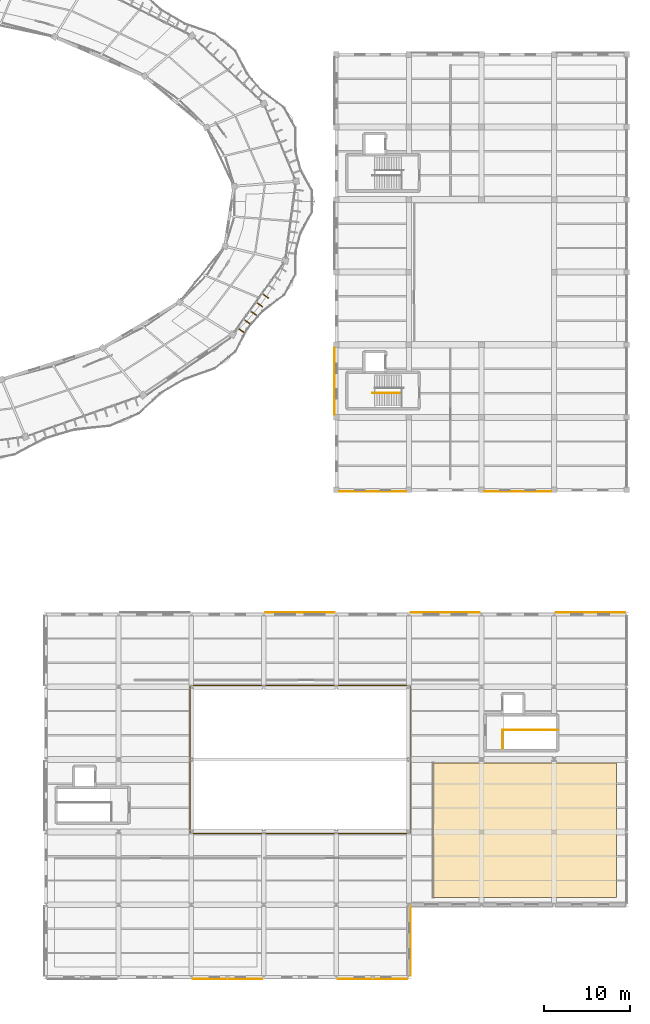
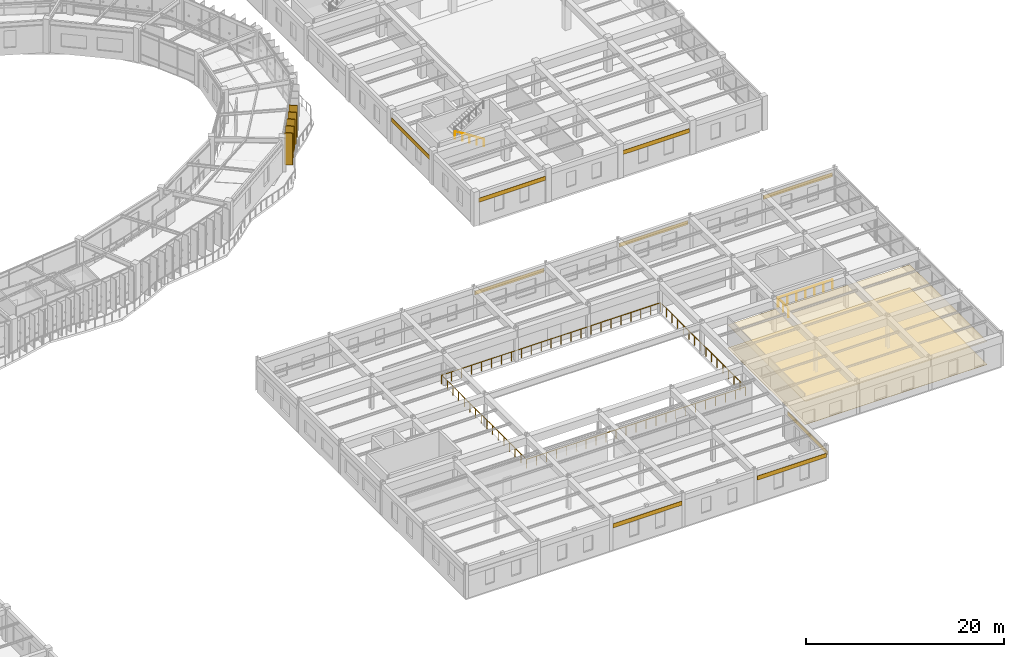
# One storey, part 136 of 138: 11 coverings, 5 shading devices, 4 railings.
"""IFC4 building model written with IfcOpenShell, lengths in metres."""

from ifc_helpers import new_model, si_unit, direction, frame, origin, origin_2d, place, context, subcontext, project, spatial, polyline, rectangle, circle, outline, extrude, material, layer, layer_set, type_object, element, save


model = new_model("IFC4")

# Units and contexts
model_context = context("Model", 3, precision=1e-05, world=origin(), true_north=direction((0.0, 1.0)))
body_context = subcontext(model_context, "Body", "Model", "MODEL_VIEW")
ifc_project = project(units=[si_unit("LENGTHUNIT", "METRE"), si_unit("AREAUNIT", "SQUARE_METRE"), si_unit("VOLUMEUNIT", "CUBIC_METRE"), si_unit("PLANEANGLEUNIT", "RADIAN"), si_unit("MASSUNIT", "GRAM", prefix="KILO"), si_unit("THERMODYNAMICTEMPERATUREUNIT", "KELVIN"), si_unit("POWERUNIT", "WATT")], contexts=[model_context])

# Site, building, storey
site_placement = place(None, origin())
site = spatial("IfcSite", under=ifc_project, at=site_placement, CompositionType="ELEMENT")
building_placement = place(site_placement, origin())
building = spatial("IfcBuilding", under=site, at=building_placement, Name="Darbajah Civic Hall", CompositionType="ELEMENT")
storey_placement = place(building_placement, frame((0.0, 0.0, 9.60009765625)))
storey = spatial("IfcBuildingStorey", under=building, at=storey_placement, Name="L02", CompositionType="ELEMENT", Elevation=9.60009765625)

# Railing
ifc_material_1 = material(Name="Brushed Bronze Stainless Steel", Category="steel")
railing_type_1 = type_object("IfcRailingType", Name="Brushed Bronze Handrail", PredefinedType="HANDRAIL", material=ifc_material_1)
railing_1_placement = place(storey_placement, frame((152.1201171875, 67.60009765625, 0.1748046875)))
element("IfcRailing", 1, at=railing_1_placement, inside=storey, type_object=railing_type_1, Name="ST09 L02 lower flight handrail", PredefinedType="HANDRAIL", context=body_context, shape_type="SweptSolid", body=[
    extrude(circle(Radius=0.02392578125, at=origin_2d()), frame((-0.023193359375, 0.0, 0.910400390625), z_axis=(-0.845944288966, 0.0, 0.533271281775), x_axis=(0.0, -1.0, 0.0)), (0.0, 0.0, 1.0), 3.91748046875),
    extrude(circle(Radius=0.02099609375, at=origin_2d()), origin(), (0.0, 0.0, 1.0), 0.867919921875),
    extrude(circle(Radius=0.02099609375, at=origin_2d()), frame((-0.840087890625, 0.0, 0.529541015625)), (0.0, 0.0, 1.0), 0.867919921875),
    extrude(circle(Radius=0.02099609375, at=origin_2d()), frame((-1.68017578125, 0.0, 1.05908203125)), (0.0, 0.0, 1.0), 0.867919921875),
    extrude(circle(Radius=0.02099609375, at=origin_2d()), frame((-2.52001953125, 0.0, 1.588623046875)), (0.0, 0.0, 1.0), 0.867919921875),
    extrude(circle(Radius=0.02099609375, at=origin_2d()), frame((-3.360107421875, 0.0, 2.1181640625)), (0.0, 0.0, 1.0), 0.867919921875),
])

# Covering
ifc_material_2 = material(Name="Honed Qatari Limestone Terrazzo", Category="masonry")
ifc_layer_1 = layer(ifc_material_2, 0.030029296875, Name="Honed Qatari Limestone Terrazzo")
ifc_layer_set_1 = layer_set([ifc_layer_1], Name="Honed Qatari Limestone Terrazzo")
covering_type_1 = type_object("IfcCoveringType", Name="Honed Qatari Limestone Terrazzo Flooring", PredefinedType="FLOORING", material=ifc_layer_set_1)
covering_1_placement = place(storey_placement, origin())
element("IfcCovering", 2, at=covering_1_placement, inside=storey, type_object=covering_type_1, Name="L02 stone terrazzo flooring L02-V3-03", PredefinedType="FLOORING", context=body_context, shape_type="SweptSolid", body=[
    extrude(outline(polyline([(155.800048828125, 9.199951171875), (177.0, 9.199951171875), (177.0, 24.800048828125), (155.800048828125, 24.800048828125), (155.800048828125, 9.199951171875)])), origin(), (0.0, 0.0, 1.0), 0.02978515625),
])

# Railings
ifc_material_3 = material(Name="Brushed Bronze and Laminated Safety Glass", Category="glass")
railing_type_2 = type_object("IfcRailingType", Name="Interior Guard Balustrade", PredefinedType="BALUSTRADE", material=ifc_material_3)
railing_2_placement = place(storey_placement, frame((163.830078125, 26.449951171875, 0.0)))
element("IfcRailing", 3, at=railing_2_placement, inside=storey, type_object=railing_type_2, Name="ST07 L02 stair-well edge guard", PredefinedType="BALUSTRADE", context=body_context, shape_type="SweptSolid", body=[
    extrude(circle(Radius=0.02392578125, at=origin_2d()), frame((0.0, 0.02734375, 1.09619140625), z_axis=(0.0, 1.0, 0.0), x_axis=(-1.0, 0.0, 0.0)), (0.0, 0.0, 1.0), 2.095458984375),
    extrude(circle(Radius=0.02099609375, at=origin_2d()), origin(), (0.0, 0.0, 1.0), 1.068115234375),
    extrude(circle(Radius=0.02099609375, at=origin_2d()), frame((0.0, 1.0751953125, 0.0)), (0.0, 0.0, 1.0), 1.068115234375),
    extrude(circle(Radius=0.02099609375, at=origin_2d()), frame((0.0, 2.150146484375, 0.0)), (0.0, 0.0, 1.0), 1.068115234375),
])
railing_3_placement = place(storey_placement, frame((163.8798828125, 28.60009765625, 0.0)))
element("IfcRailing", 4, at=railing_3_placement, inside=storey, type_object=railing_type_2, Name="ST07 L02 top landing guard", PredefinedType="BALUSTRADE", context=body_context, shape_type="SweptSolid", body=[
    extrude(circle(Radius=0.02392578125, at=origin_2d()), frame((0.02734375, 0.0, 1.09619140625), z_axis=(1.0, 0.0, 0.0), x_axis=(0.0, 1.0, 0.0)), (0.0, 0.0, 1.0), 6.265380859375),
    extrude(circle(Radius=0.02099609375, at=origin_2d()), origin(), (0.0, 0.0, 1.0), 1.068115234375),
    extrude(circle(Radius=0.02099609375, at=origin_2d()), frame((1.05322265625, 0.0, 0.0)), (0.0, 0.0, 1.0), 1.068115234375),
    extrude(circle(Radius=0.02099609375, at=origin_2d()), frame((2.106689453125, 0.0, 0.0)), (0.0, 0.0, 1.0), 1.068115234375),
    extrude(circle(Radius=0.02099609375, at=origin_2d()), frame((3.16015625, 0.0, 0.0)), (0.0, 0.0, 1.0), 1.068115234375),
    extrude(circle(Radius=0.02099609375, at=origin_2d()), frame((4.21337890625, 0.0, 0.0)), (0.0, 0.0, 1.0), 1.068115234375),
    extrude(circle(Radius=0.02099609375, at=origin_2d()), frame((5.2666015625, 0.0, 0.0)), (0.0, 0.0, 1.0), 1.068115234375),
    extrude(circle(Radius=0.02099609375, at=origin_2d()), frame((6.320068359375, 0.0, 0.0)), (0.0, 0.0, 1.0), 1.068115234375),
])
railing_4_placement = place(storey_placement, frame((127.64990234375, 16.64990234375, 0.0)))
element("IfcRailing", 5, at=railing_4_placement, inside=storey, type_object=railing_type_2, Name="L02 Public Hall atrium balustrade", PredefinedType="BALUSTRADE", context=body_context, shape_type="SweptSolid", body=[
    extrude(circle(Radius=0.02392578125, at=origin_2d()), frame((0.02734375, 0.0, 1.09619140625), z_axis=(1.0, 0.0, 0.0), x_axis=(0.0, 1.0, 0.0)), (0.0, 0.0, 1.0), 25.4453125),
    extrude(circle(Radius=0.02392578125, at=origin_2d()), frame((25.5, 0.02734375, 1.09619140625), z_axis=(0.0, 1.0, 0.0), x_axis=(-1.0, 0.0, 0.0)), (0.0, 0.0, 1.0), 17.04541015625),
    extrude(circle(Radius=0.02392578125, at=origin_2d()), frame((25.47265625, 17.10009765625, 1.09619140625), z_axis=(-1.0, 0.0, 0.0), x_axis=(0.0, -1.0, 0.0)), (0.0, 0.0, 1.0), 25.4453125),
    extrude(circle(Radius=0.02392578125, at=origin_2d()), frame((0.0, 17.07275390625, 1.09619140625), z_axis=(0.0, -1.0, 0.0), x_axis=(1.0, 0.0, 0.0)), (0.0, 0.0, 1.0), 17.04541015625),
    extrude(circle(Radius=0.02099609375, at=origin_2d()), origin(), (0.0, 0.0, 1.0), 1.068115234375),
    extrude(circle(Radius=0.02099609375, at=origin_2d()), frame((1.1591796875, 0.0, 0.0)), (0.0, 0.0, 1.0), 1.068115234375),
    extrude(circle(Radius=0.02099609375, at=origin_2d()), frame((2.318115234375, 0.0, 0.0)), (0.0, 0.0, 1.0), 1.068115234375),
    extrude(circle(Radius=0.02099609375, at=origin_2d()), frame((3.477294921875, 0.0, 0.0)), (0.0, 0.0, 1.0), 1.068115234375),
    extrude(circle(Radius=0.02099609375, at=origin_2d()), frame((4.636474609375, 0.0, 0.0)), (0.0, 0.0, 1.0), 1.068115234375),
    extrude(circle(Radius=0.02099609375, at=origin_2d()), frame((5.79541015625, 0.0, 0.0)), (0.0, 0.0, 1.0), 1.068115234375),
    extrude(circle(Radius=0.02099609375, at=origin_2d()), frame((6.95458984375, 0.0, 0.0)), (0.0, 0.0, 1.0), 1.068115234375),
    extrude(circle(Radius=0.02099609375, at=origin_2d()), frame((8.113525390625, 0.0, 0.0)), (0.0, 0.0, 1.0), 1.068115234375),
    extrude(circle(Radius=0.02099609375, at=origin_2d()), frame((9.272705078125, 0.0, 0.0)), (0.0, 0.0, 1.0), 1.068115234375),
    extrude(circle(Radius=0.02099609375, at=origin_2d()), frame((10.431884765625, 0.0, 0.0)), (0.0, 0.0, 1.0), 1.068115234375),
    extrude(circle(Radius=0.02099609375, at=origin_2d()), frame((11.5908203125, 0.0, 0.0)), (0.0, 0.0, 1.0), 1.068115234375),
    extrude(circle(Radius=0.02099609375, at=origin_2d()), frame((12.75, 0.0, 0.0)), (0.0, 0.0, 1.0), 1.068115234375),
    extrude(circle(Radius=0.02099609375, at=origin_2d()), frame((13.9091796875, 0.0, 0.0)), (0.0, 0.0, 1.0), 1.068115234375),
    extrude(circle(Radius=0.02099609375, at=origin_2d()), frame((15.068115234375, 0.0, 0.0)), (0.0, 0.0, 1.0), 1.068115234375),
    extrude(circle(Radius=0.02099609375, at=origin_2d()), frame((16.227294921875, 0.0, 0.0)), (0.0, 0.0, 1.0), 1.068115234375),
    extrude(circle(Radius=0.02099609375, at=origin_2d()), frame((17.386474609375, 0.0, 0.0)), (0.0, 0.0, 1.0), 1.068115234375),
    extrude(circle(Radius=0.02099609375, at=origin_2d()), frame((18.54541015625, 0.0, 0.0)), (0.0, 0.0, 1.0), 1.068115234375),
    extrude(circle(Radius=0.02099609375, at=origin_2d()), frame((19.70458984375, 0.0, 0.0)), (0.0, 0.0, 1.0), 1.068115234375),
    extrude(circle(Radius=0.02099609375, at=origin_2d()), frame((20.863525390625, 0.0, 0.0)), (0.0, 0.0, 1.0), 1.068115234375),
    extrude(circle(Radius=0.02099609375, at=origin_2d()), frame((22.022705078125, 0.0, 0.0)), (0.0, 0.0, 1.0), 1.068115234375),
    extrude(circle(Radius=0.02099609375, at=origin_2d()), frame((23.181884765625, 0.0, 0.0)), (0.0, 0.0, 1.0), 1.068115234375),
    extrude(circle(Radius=0.02099609375, at=origin_2d()), frame((24.3408203125, 0.0, 0.0)), (0.0, 0.0, 1.0), 1.068115234375),
    extrude(circle(Radius=0.02099609375, at=origin_2d()), frame((25.5, 0.0, 0.0)), (0.0, 0.0, 1.0), 1.068115234375),
    extrude(circle(Radius=0.02099609375, at=origin_2d()), frame((25.5, 1.139892578125, 0.0)), (0.0, 0.0, 1.0), 1.068115234375),
    extrude(circle(Radius=0.02099609375, at=origin_2d()), frame((25.5, 2.280029296875, 0.0)), (0.0, 0.0, 1.0), 1.068115234375),
    extrude(circle(Radius=0.02099609375, at=origin_2d()), frame((25.5, 3.419921875, 0.0)), (0.0, 0.0, 1.0), 1.068115234375),
    extrude(circle(Radius=0.02099609375, at=origin_2d()), frame((25.5, 4.56005859375, 0.0)), (0.0, 0.0, 1.0), 1.068115234375),
    extrude(circle(Radius=0.02099609375, at=origin_2d()), frame((25.5, 5.699951171875, 0.0)), (0.0, 0.0, 1.0), 1.068115234375),
    extrude(circle(Radius=0.02099609375, at=origin_2d()), frame((25.5, 6.840087890625, 0.0)), (0.0, 0.0, 1.0), 1.068115234375),
    extrude(circle(Radius=0.02099609375, at=origin_2d()), frame((25.5, 7.97998046875, 0.0)), (0.0, 0.0, 1.0), 1.068115234375),
    extrude(circle(Radius=0.02099609375, at=origin_2d()), frame((25.5, 9.1201171875, 0.0)), (0.0, 0.0, 1.0), 1.068115234375),
    extrude(circle(Radius=0.02099609375, at=origin_2d()), frame((25.5, 10.260009765625, 0.0)), (0.0, 0.0, 1.0), 1.068115234375),
    extrude(circle(Radius=0.02099609375, at=origin_2d()), frame((25.5, 11.400146484375, 0.0)), (0.0, 0.0, 1.0), 1.068115234375),
    extrude(circle(Radius=0.02099609375, at=origin_2d()), frame((25.5, 12.5400390625, 0.0)), (0.0, 0.0, 1.0), 1.068115234375),
    extrude(circle(Radius=0.02099609375, at=origin_2d()), frame((25.5, 13.68017578125, 0.0)), (0.0, 0.0, 1.0), 1.068115234375),
    extrude(circle(Radius=0.02099609375, at=origin_2d()), frame((25.5, 14.820068359375, 0.0)), (0.0, 0.0, 1.0), 1.068115234375),
    extrude(circle(Radius=0.02099609375, at=origin_2d()), frame((25.5, 15.960205078125, 0.0)), (0.0, 0.0, 1.0), 1.068115234375),
    extrude(circle(Radius=0.02099609375, at=origin_2d()), frame((25.5, 17.10009765625, 0.0)), (0.0, 0.0, 1.0), 1.068115234375),
    extrude(circle(Radius=0.02099609375, at=origin_2d()), frame((24.3408203125, 17.10009765625, 0.0)), (0.0, 0.0, 1.0), 1.068115234375),
    extrude(circle(Radius=0.02099609375, at=origin_2d()), frame((23.181884765625, 17.10009765625, 0.0)), (0.0, 0.0, 1.0), 1.068115234375),
    extrude(circle(Radius=0.02099609375, at=origin_2d()), frame((22.022705078125, 17.10009765625, 0.0)), (0.0, 0.0, 1.0), 1.068115234375),
    extrude(circle(Radius=0.02099609375, at=origin_2d()), frame((20.863525390625, 17.10009765625, 0.0)), (0.0, 0.0, 1.0), 1.068115234375),
    extrude(circle(Radius=0.02099609375, at=origin_2d()), frame((19.70458984375, 17.10009765625, 0.0)), (0.0, 0.0, 1.0), 1.068115234375),
    extrude(circle(Radius=0.02099609375, at=origin_2d()), frame((18.54541015625, 17.10009765625, 0.0)), (0.0, 0.0, 1.0), 1.068115234375),
    extrude(circle(Radius=0.02099609375, at=origin_2d()), frame((17.386474609375, 17.10009765625, 0.0)), (0.0, 0.0, 1.0), 1.068115234375),
    extrude(circle(Radius=0.02099609375, at=origin_2d()), frame((16.227294921875, 17.10009765625, 0.0)), (0.0, 0.0, 1.0), 1.068115234375),
    extrude(circle(Radius=0.02099609375, at=origin_2d()), frame((15.068115234375, 17.10009765625, 0.0)), (0.0, 0.0, 1.0), 1.068115234375),
    extrude(circle(Radius=0.02099609375, at=origin_2d()), frame((13.9091796875, 17.10009765625, 0.0)), (0.0, 0.0, 1.0), 1.068115234375),
    extrude(circle(Radius=0.02099609375, at=origin_2d()), frame((12.75, 17.10009765625, 0.0)), (0.0, 0.0, 1.0), 1.068115234375),
    extrude(circle(Radius=0.02099609375, at=origin_2d()), frame((11.5908203125, 17.10009765625, 0.0)), (0.0, 0.0, 1.0), 1.068115234375),
    extrude(circle(Radius=0.02099609375, at=origin_2d()), frame((10.431884765625, 17.10009765625, 0.0)), (0.0, 0.0, 1.0), 1.068115234375),
    extrude(circle(Radius=0.02099609375, at=origin_2d()), frame((9.272705078125, 17.10009765625, 0.0)), (0.0, 0.0, 1.0), 1.068115234375),
    extrude(circle(Radius=0.02099609375, at=origin_2d()), frame((8.113525390625, 17.10009765625, 0.0)), (0.0, 0.0, 1.0), 1.068115234375),
    extrude(circle(Radius=0.02099609375, at=origin_2d()), frame((6.95458984375, 17.10009765625, 0.0)), (0.0, 0.0, 1.0), 1.068115234375),
    extrude(circle(Radius=0.02099609375, at=origin_2d()), frame((5.79541015625, 17.10009765625, 0.0)), (0.0, 0.0, 1.0), 1.068115234375),
    extrude(circle(Radius=0.02099609375, at=origin_2d()), frame((4.636474609375, 17.10009765625, 0.0)), (0.0, 0.0, 1.0), 1.068115234375),
    extrude(circle(Radius=0.02099609375, at=origin_2d()), frame((3.477294921875, 17.10009765625, 0.0)), (0.0, 0.0, 1.0), 1.068115234375),
    extrude(circle(Radius=0.02099609375, at=origin_2d()), frame((2.318115234375, 17.10009765625, 0.0)), (0.0, 0.0, 1.0), 1.068115234375),
    extrude(circle(Radius=0.02099609375, at=origin_2d()), frame((1.1591796875, 17.10009765625, 0.0)), (0.0, 0.0, 1.0), 1.068115234375),
    extrude(circle(Radius=0.02099609375, at=origin_2d()), frame((0.0, 17.10009765625, 0.0)), (0.0, 0.0, 1.0), 1.068115234375),
    extrude(circle(Radius=0.02099609375, at=origin_2d()), frame((0.0, 15.960205078125, 0.0)), (0.0, 0.0, 1.0), 1.068115234375),
    extrude(circle(Radius=0.02099609375, at=origin_2d()), frame((0.0, 14.820068359375, 0.0)), (0.0, 0.0, 1.0), 1.068115234375),
    extrude(circle(Radius=0.02099609375, at=origin_2d()), frame((0.0, 13.68017578125, 0.0)), (0.0, 0.0, 1.0), 1.068115234375),
    extrude(circle(Radius=0.02099609375, at=origin_2d()), frame((0.0, 12.5400390625, 0.0)), (0.0, 0.0, 1.0), 1.068115234375),
    extrude(circle(Radius=0.02099609375, at=origin_2d()), frame((0.0, 11.400146484375, 0.0)), (0.0, 0.0, 1.0), 1.068115234375),
    extrude(circle(Radius=0.02099609375, at=origin_2d()), frame((0.0, 10.260009765625, 0.0)), (0.0, 0.0, 1.0), 1.068115234375),
    extrude(circle(Radius=0.02099609375, at=origin_2d()), frame((0.0, 9.1201171875, 0.0)), (0.0, 0.0, 1.0), 1.068115234375),
    extrude(circle(Radius=0.02099609375, at=origin_2d()), frame((0.0, 7.97998046875, 0.0)), (0.0, 0.0, 1.0), 1.068115234375),
    extrude(circle(Radius=0.02099609375, at=origin_2d()), frame((0.0, 6.840087890625, 0.0)), (0.0, 0.0, 1.0), 1.068115234375),
    extrude(circle(Radius=0.02099609375, at=origin_2d()), frame((0.0, 5.699951171875, 0.0)), (0.0, 0.0, 1.0), 1.068115234375),
    extrude(circle(Radius=0.02099609375, at=origin_2d()), frame((0.0, 4.56005859375, 0.0)), (0.0, 0.0, 1.0), 1.068115234375),
    extrude(circle(Radius=0.02099609375, at=origin_2d()), frame((0.0, 3.419921875, 0.0)), (0.0, 0.0, 1.0), 1.068115234375),
    extrude(circle(Radius=0.02099609375, at=origin_2d()), frame((0.0, 2.280029296875, 0.0)), (0.0, 0.0, 1.0), 1.068115234375),
    extrude(circle(Radius=0.02099609375, at=origin_2d()), frame((0.0, 1.139892578125, 0.0)), (0.0, 0.0, 1.0), 1.068115234375),
])

# Coverings
ifc_material_4 = material(Name="Qatari Desert Limestone Ashlar", Category="masonry")
ifc_layer_2 = layer(ifc_material_4, 0.044921875, Name="Qatari Desert Limestone Ashlar")
ifc_layer_set_2 = layer_set([ifc_layer_2], Name="Qatari Desert Limestone Ashlar")
covering_type_2 = type_object("IfcCoveringType", Name="Limestone Facade Cladding", PredefinedType="CLADDING", material=ifc_layer_set_2)
covering_2_placement = place(storey_placement, frame((0.0, 0.0, 2.77001953125)))
element("IfcCovering", 6, at=covering_2_placement, inside=storey, type_object=covering_type_2, Name="L02 stone frieze cladding EW-V3-L02-S0-B2", PredefinedType="CLADDING", context=body_context, shape_type="SweptSolid", body=[
    extrude(outline(polyline([(127.98828125, -0.18994140625), (136.01171875, -0.18994140625), (136.01171875, -0.235107421875), (127.98828125, -0.235107421875), (127.98828125, -0.18994140625)])), origin(), (0.0, 0.0, 1.0), 0.5),
])
covering_3_placement = place(storey_placement, frame((0.0, 0.0, 2.77001953125)))
element("IfcCovering", 7, at=covering_3_placement, inside=storey, type_object=covering_type_2, Name="L02 stone frieze cladding EW-V3-L02-S0-B4", PredefinedType="CLADDING", context=body_context, shape_type="SweptSolid", body=[
    extrude(outline(polyline([(144.788330078125, -0.18994140625), (152.811767578125, -0.18994140625), (152.811767578125, -0.235107421875), (144.788330078125, -0.235107421875), (144.788330078125, -0.18994140625)])), origin(), (0.0, 0.0, 1.0), 0.5),
])
covering_4_placement = place(storey_placement, frame((0.0, 0.0, 2.669921875)))
element("IfcCovering", 8, at=covering_4_placement, inside=storey, type_object=covering_type_2, Name="L02 stone frieze cladding EW-V3-L02-S1-B0", PredefinedType="CLADDING", context=body_context, shape_type="SweptSolid", body=[
    extrude(outline(polyline([(153.18994140625, 0.18603515625), (153.18994140625, 8.2138671875), (153.235107421875, 8.2138671875), (153.235107421875, 0.18603515625), (153.18994140625, 0.18603515625)])), origin(), (0.0, 0.0, 1.0), 0.5),
])
covering_5_placement = place(storey_placement, frame((0.0, 0.0, 2.77001953125)))
element("IfcCovering", 9, at=covering_5_placement, inside=storey, type_object=covering_type_2, Name="L02 stone frieze cladding EW-V3-L02-S4-B0", PredefinedType="CLADDING", context=body_context, shape_type="SweptSolid", body=[
    extrude(outline(polyline([(178.01171875, 42.18994140625), (169.98828125, 42.18994140625), (169.98828125, 42.235107421875), (178.01171875, 42.235107421875), (178.01171875, 42.18994140625)])), origin(), (0.0, 0.0, 1.0), 0.5),
])
covering_6_placement = place(storey_placement, frame((0.0, 0.0, 2.77001953125)))
element("IfcCovering", 10, at=covering_6_placement, inside=storey, type_object=covering_type_2, Name="L02 stone frieze cladding EW-V3-L02-S4-B2", PredefinedType="CLADDING", context=body_context, shape_type="SweptSolid", body=[
    extrude(outline(polyline([(161.211669921875, 42.18994140625), (153.188232421875, 42.18994140625), (153.188232421875, 42.235107421875), (161.211669921875, 42.235107421875), (161.211669921875, 42.18994140625)])), origin(), (0.0, 0.0, 1.0), 0.5),
])
covering_7_placement = place(storey_placement, frame((0.0, 0.0, 2.77001953125)))
element("IfcCovering", 11, at=covering_7_placement, inside=storey, type_object=covering_type_2, Name="L02 stone frieze cladding EW-V3-L02-S4-B4", PredefinedType="CLADDING", context=body_context, shape_type="SweptSolid", body=[
    extrude(outline(polyline([(144.41162109375, 42.18994140625), (136.38818359375, 42.18994140625), (136.38818359375, 42.235107421875), (144.41162109375, 42.235107421875), (144.41162109375, 42.18994140625)])), origin(), (0.0, 0.0, 1.0), 0.5),
])
covering_8_placement = place(storey_placement, frame((0.0, 0.0, 2.7099609375)))
element("IfcCovering", 12, at=covering_8_placement, inside=storey, type_object=covering_type_2, Name="L02 stone frieze cladding EW-V4-L02-S0-B0", PredefinedType="CLADDING", context=body_context, shape_type="SweptSolid", body=[
    extrude(outline(polyline([(144.927001953125, 56.22998046875), (152.673095703125, 56.22998046875), (152.673095703125, 56.18505859375), (144.927001953125, 56.18505859375), (144.927001953125, 56.22998046875)])), origin(), (0.0, 0.0, 1.0), 0.5),
])
covering_9_placement = place(storey_placement, frame((0.0, 0.0, 2.7099609375)))
element("IfcCovering", 13, at=covering_9_placement, inside=storey, type_object=covering_type_2, Name="L02 stone frieze cladding EW-V4-L02-S0-B2", PredefinedType="CLADDING", context=body_context, shape_type="SweptSolid", body=[
    extrude(outline(polyline([(161.72705078125, 56.22998046875), (169.472900390625, 56.22998046875), (169.472900390625, 56.18505859375), (161.72705078125, 56.18505859375), (161.72705078125, 56.22998046875)])), origin(), (0.0, 0.0, 1.0), 0.5),
])
covering_10_placement = place(storey_placement, frame((0.0, 0.0, 2.7099609375)))
element("IfcCovering", 14, at=covering_10_placement, inside=storey, type_object=covering_type_2, Name="L02 stone frieze cladding EW-V4-L02-S3-B4", PredefinedType="CLADDING", context=body_context, shape_type="SweptSolid", body=[
    extrude(outline(polyline([(144.429931640625, 72.873046875), (144.429931640625, 65.126953125), (144.385009765625, 65.126953125), (144.385009765625, 72.873046875), (144.429931640625, 72.873046875)])), origin(), (0.0, 0.0, 1.0), 0.5),
])
ifc_material_5 = material(Name="Perforated Acoustic Gypsum Board")
ifc_layer_3 = layer(ifc_material_5, 0.02490234375, Name="Perforated Acoustic Gypsum Board")
ifc_layer_set_3 = layer_set([ifc_layer_3], Name="Perforated Acoustic Gypsum Board")
covering_type_3 = type_object("IfcCoveringType", Name="Perforated Acoustic Gypsum Ceiling", PredefinedType="CEILING", material=ifc_layer_set_3)
covering_11_placement = place(storey_placement, frame((0.0, 0.0, 2.849853515625)))
element("IfcCovering", 15, at=covering_11_placement, inside=storey, type_object=covering_type_3, Name="L02 acoustic suspended ceiling L02-V3-03", PredefinedType="CEILING", context=body_context, shape_type="SweptSolid", body=[
    extrude(outline(polyline([(155.800048828125, 9.199951171875), (177.0, 9.199951171875), (177.0, 24.800048828125), (155.800048828125, 24.800048828125), (155.800048828125, 9.199951171875)])), origin(), (0.0, 0.0, 1.0), 0.025146484375),
])

# Shading devices
ifc_material_6 = material(Name="Bronze Anodised Aluminium and Teak Composite", Category="aluminium")
shading_device_type = type_object("IfcShadingDeviceType", Name="Vertical Bronze Timber Shading Fin", PredefinedType="USERDEFINED", material=ifc_material_6)
for number, where, z_axis, x_axis, name in (
    (16, (133.564208984375, 74.869873046875, 0.0), (0.0, 0.0, 1.0), (0.812999149039, -0.582264874145, 0.0), "L02 vertical shading fin VF-18-1"),
    (17, (134.2763671875, 75.8642578125, 0.0), (0.0, 0.0, 1.0), (0.812999149039, -0.582264874145, 0.0), "L02 vertical shading fin VF-18-2"),
    (18, (134.98828125, 76.8583984375, 0.0), (0.0, 0.0, 1.0), (0.812999149039, -0.582264874145, 0.0), "L02 vertical shading fin VF-18-3"),
    (19, (135.700439453125, 77.852783203125, 0.0), (0.0, 0.0, 1.0), (0.812999149039, -0.582264874145, 0.0), "L02 vertical shading fin VF-18-4"),
    (20, (136.41259765625, 78.84716796875, 0.0), (0.0, 0.0, 1.0), (0.812999149039, -0.582264874145, 0.0), "L02 vertical shading fin VF-18-5"),
):
    element("IfcShadingDevice", number, at=place(storey_placement, frame(where, z_axis=z_axis, x_axis=x_axis)), inside=storey, type_object=shading_device_type, Name=name, ObjectType="VERTICAL FIN", PredefinedType="USERDEFINED", context=body_context, shape_type="SweptSolid", body=[
        extrude(rectangle(XDim=0.85009765625, YDim=0.090087890625, at=origin_2d()), origin(), (0.0, 0.0, 1.0), 3.919921875),
    ])

save(model, "model.ifc")
